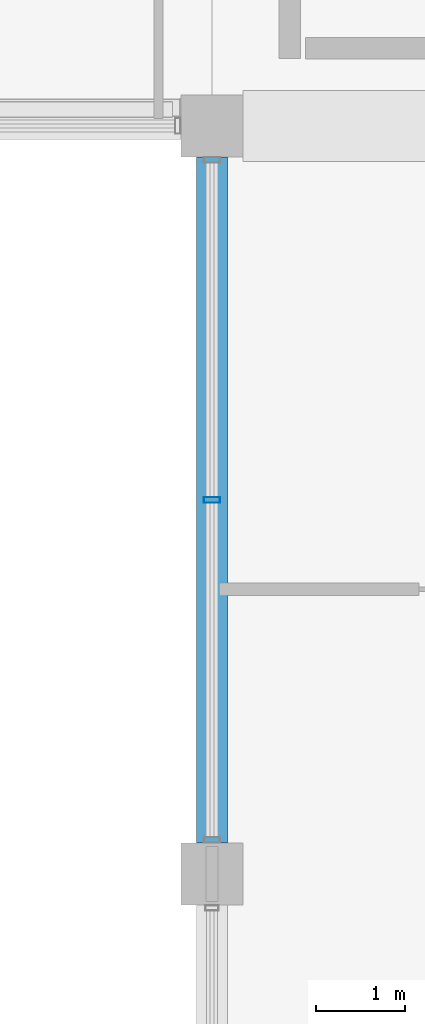
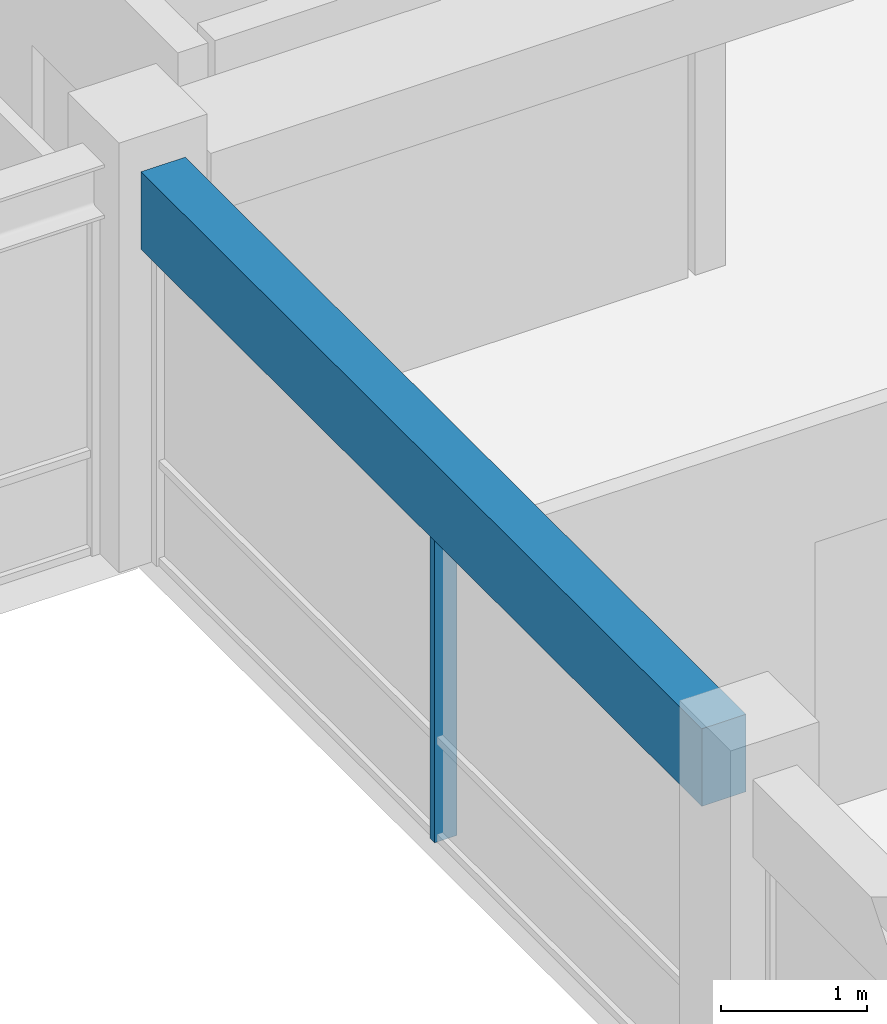
# One storey, part 21 of 49: 1 beam, 1 member, 1 element without a shape of its own.
"""IFC4 building model written with IfcOpenShell, lengths in metres."""

from ifc_helpers import new_model, si_unit, direction, frame, origin, origin_2d, place, context, subcontext, project, spatial, rectangle, hollow_rectangle, extrude, material, material_profile, profile_set, type_object, element, aggregate, save


model = new_model("IFC4")

# Units and contexts
model_context = context("Model", 3, precision=1e-05, world=origin(), true_north=direction((0.0, 1.0)))
body_context = subcontext(model_context, "Body", "Model", "MODEL_VIEW")
ifc_project = project(units=[si_unit("LENGTHUNIT", "METRE"), si_unit("AREAUNIT", "SQUARE_METRE"), si_unit("VOLUMEUNIT", "CUBIC_METRE"), si_unit("PLANEANGLEUNIT", "RADIAN"), si_unit("MASSUNIT", "GRAM", prefix="KILO"), si_unit("THERMODYNAMICTEMPERATUREUNIT", "KELVIN"), si_unit("POWERUNIT", "WATT")], contexts=[model_context])

# Site, building, storey
site_placement = place(None, origin())
site = spatial("IfcSite", under=ifc_project, at=site_placement, CompositionType="ELEMENT")
building_placement = place(site_placement, origin())
building = spatial("IfcBuilding", under=site, at=building_placement, Name="Srebrne Nadtorze General Hospital", CompositionType="ELEMENT")
storey_placement = place(building_placement, frame((0.0, 0.0, 26.10009765625)))
storey = spatial("IfcBuildingStorey", under=building, at=storey_placement, Name="L06", CompositionType="ELEMENT", Elevation=26.10009765625)

# Curtain wall, member
ifc_material_1 = material(Name="Anodised Aluminium", Category="aluminium")
curtain_wall_type = type_object("IfcCurtainWallType", Name="Unitised curtain wall 7700x2650", PredefinedType="NOTDEFINED", material=ifc_material_1)
curtain_wall_placement = place(storey_placement, origin())
curtain_wall = element("IfcCurtainWall", 1, at=curtain_wall_placement, inside=storey, type_object=curtain_wall_type, Name="Curtain wall CW-153", PredefinedType="NOTDEFINED")
ifc_material_2 = material(Name="Anodised Aluminium", Category="aluminium")
ifc_material_profile_1 = material_profile(ifc_material_2, hollow_rectangle(XDim=0.06494140625, YDim=0.179931640625, WallThickness=0.00390625, at=origin_2d()), Name="AL-MUL-65x180")
ifc_profile_set_1 = profile_set([ifc_material_profile_1], Name="Anodised Aluminium")
member_type = type_object("IfcMemberType", Name="Curtain mullion 65x180", PredefinedType="MULLION", material=ifc_profile_set_1)
member_placement = place(storey_placement, frame((101.39990234375, 46.199951171875, 0.0), z_axis=(0.0, 0.0, 1.0), x_axis=(0.0, 1.0, 0.0)))
member = element("IfcMember", 2, at=member_placement, type_object=member_type, Name="CW-153 mullion 2", PredefinedType="MULLION", context=body_context, shape_type="SweptSolid", body=[
    extrude(hollow_rectangle(XDim=0.06494140625, YDim=0.179931640625, WallThickness=0.00390625, at=origin_2d()), origin(), (0.0, 0.0, 1.0), 2.64990234375),
])
aggregate(curtain_wall, [member])

# Beam
ifc_material_3 = material(Name="Concrete C35/45", Category="concrete")
ifc_material_profile_2 = material_profile(ifc_material_3, rectangle(XDim=0.35009765625, YDim=0.64990234375, at=origin_2d()), Name="RC-BM-350x650")
ifc_profile_set_2 = profile_set([ifc_material_profile_2], Name="Concrete C35/45")
beam_type = type_object("IfcBeamType", Name="Edge beam RC 350x650", PredefinedType="BEAM", material=ifc_profile_set_2)
beam_placement = place(storey_placement, frame((101.39990234375, 42.35009765625, 2.974853515625), z_axis=(0.0, 1.0, 0.0), x_axis=(-1.0, 0.0, 0.0)))
element("IfcBeam", 3, at=beam_placement, inside=storey, type_object=beam_type, Name="Beam BM-L06-Y-1223", PredefinedType="BEAM", context=body_context, shape_type="SweptSolid", body=[
    extrude(rectangle(XDim=0.35009765625, YDim=0.64990234375, at=origin_2d()), origin(), (0.0, 0.0, 1.0), 7.699951171875),
])

save(model, "model.ifc")
